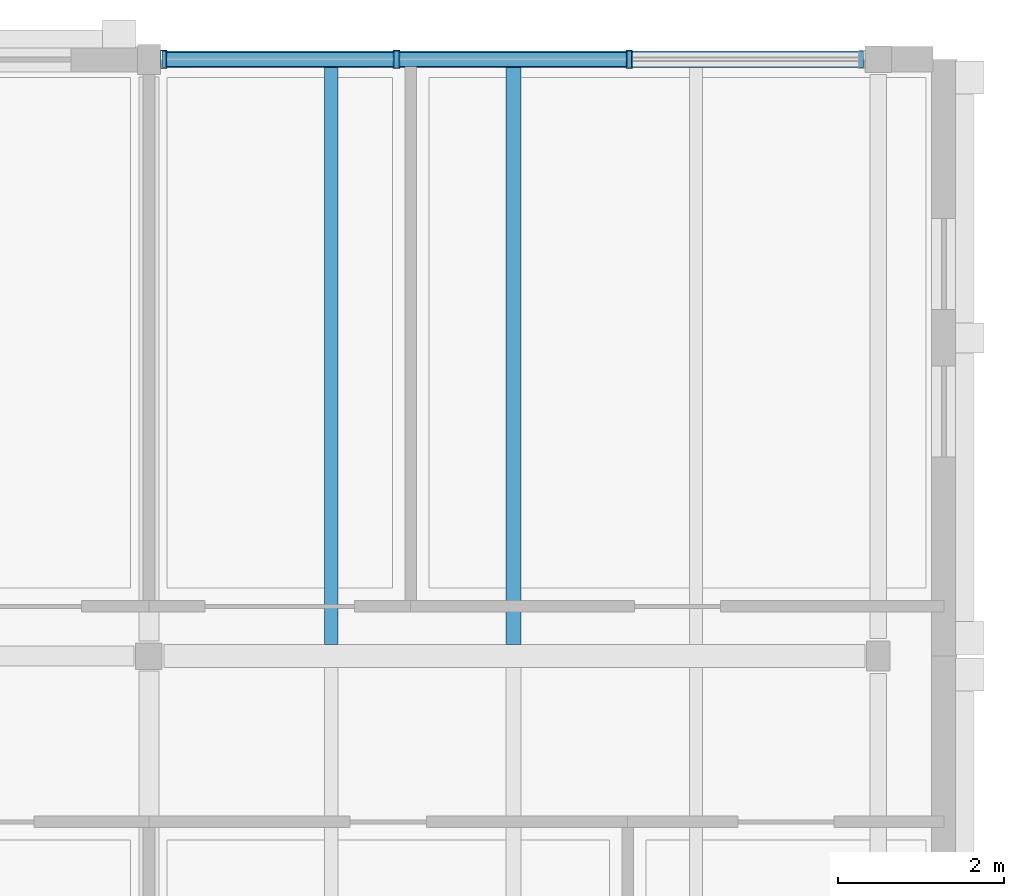
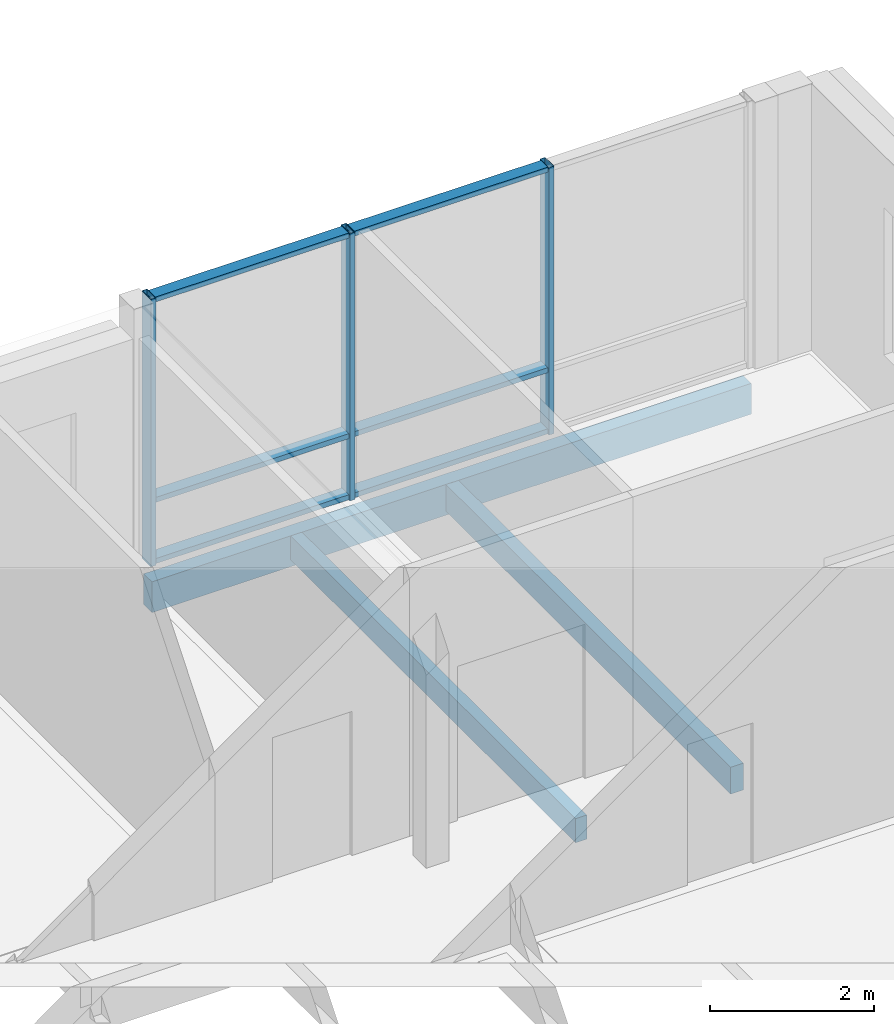
# One storey, part 31 of 115: 9 members, 3 beams, 1 element without a shape of its own.
"""IFC4 building model written with IfcOpenShell, lengths in metres."""

from ifc_helpers import new_model, si_unit, direction, frame, origin, origin_2d, place, context, subcontext, project, spatial, rectangle, hollow_rectangle, extrude, material, material_profile, profile_set, type_object, element, aggregate, save


model = new_model("IFC4")

# Units and contexts
model_context = context("Model", 3, precision=1e-05, world=origin(), true_north=direction((0.0, 1.0)))
body_context = subcontext(model_context, "Body", "Model", "MODEL_VIEW")
ifc_project = project(units=[si_unit("LENGTHUNIT", "METRE"), si_unit("AREAUNIT", "SQUARE_METRE"), si_unit("VOLUMEUNIT", "CUBIC_METRE"), si_unit("PLANEANGLEUNIT", "RADIAN"), si_unit("MASSUNIT", "GRAM", prefix="KILO")], contexts=[model_context])

# Site, building, storey
site_placement = place(None, origin())
site = spatial("IfcSite", under=ifc_project, at=site_placement, CompositionType="ELEMENT")
building_placement = place(site_placement, origin())
building = spatial("IfcBuilding", under=site, at=building_placement, Name="Hawrajan Terrace Health Centre", CompositionType="ELEMENT")
storey_placement = place(building_placement, frame((0.0, 0.0, 9.0)))
storey = spatial("IfcBuildingStorey", under=building, at=storey_placement, Name="L02", CompositionType="ELEMENT", Elevation=9.0)

# Curtain wall, members
ifc_material_1 = material(Name="Anodized bronze aluminium and low-E solar glazing", Category="aluminium")
curtain_wall_type = type_object("IfcCurtainWallType", Name="CW_Clerestory_SeriesG2", PredefinedType="USERDEFINED", material=ifc_material_1)
curtain_wall_placement = place(storey_placement, origin())
curtain_wall = element("IfcCurtainWall", 1, at=curtain_wall_placement, inside=storey, type_object=curtain_wall_type, Name="Curtain wall CW-L02-137", ObjectType="UNITISED CURTAIN WALL", PredefinedType="USERDEFINED")
ifc_material_2 = material(Name="Anodized bronze aluminium 6063-T6", Category="aluminium")
ifc_material_profile_1 = material_profile(ifc_material_2, hollow_rectangle(XDim=0.074951171875, YDim=0.219970703125, WallThickness=0.0048828125, at=origin_2d()), Name="CW MUL 75x220")
ifc_profile_set_1 = profile_set([ifc_material_profile_1], Name="Anodized bronze aluminium 6063-T6")
member_type_1 = type_object("IfcMemberType", Name="CWMullion_75x220", PredefinedType="MULLION", material=ifc_profile_set_1)
member_1_placement = place(storey_placement, frame((62.37744140625, 59.800048828125, -0.0048828125), z_axis=(0.0, 0.0, 1.0), x_axis=(1.0, 0.0, 0.0)))
member_1 = element("IfcMember", 2, at=member_1_placement, type_object=member_type_1, Name="Mullion CW-L02-137-M1", PredefinedType="MULLION", context=body_context, shape_type="SweptSolid", body=[
    extrude(hollow_rectangle(XDim=0.074951171875, YDim=0.219970703125, WallThickness=0.0048828125, at=origin_2d()), origin(), (0.0, 0.0, 1.0), 3.989990234375),
])
member_2_placement = place(storey_placement, frame((65.185791015625, 59.800048828125, -0.0048828125), z_axis=(0.0, 0.0, 1.0), x_axis=(1.0, 0.0, 0.0)))
member_2 = element("IfcMember", 3, at=member_2_placement, type_object=member_type_1, Name="Mullion CW-L02-137-M2", PredefinedType="MULLION", context=body_context, shape_type="SweptSolid", body=[
    extrude(hollow_rectangle(XDim=0.074951171875, YDim=0.219970703125, WallThickness=0.0048828125, at=origin_2d()), origin(), (0.0, 0.0, 1.0), 3.989990234375),
])
member_3_placement = place(storey_placement, frame((67.994140625, 59.800048828125, -0.0048828125), z_axis=(0.0, 0.0, 1.0), x_axis=(1.0, 0.0, 0.0)))
member_3 = element("IfcMember", 4, at=member_3_placement, type_object=member_type_1, Name="Mullion CW-L02-137-M3", PredefinedType="MULLION", context=body_context, shape_type="SweptSolid", body=[
    extrude(hollow_rectangle(XDim=0.074951171875, YDim=0.219970703125, WallThickness=0.0048828125, at=origin_2d()), origin(), (0.0, 0.0, 1.0), 3.989990234375),
])
ifc_material_profile_2 = material_profile(ifc_material_2, hollow_rectangle(XDim=0.074951171875, YDim=0.169921875, WallThickness=0.00439453125, at=origin_2d()), Name="CW TRN 75x170")
ifc_profile_set_2 = profile_set([ifc_material_profile_2], Name="Anodized bronze aluminium 6063-T6")
member_type_2 = type_object("IfcMemberType", Name="CWTransom_75x170", PredefinedType="USERDEFINED", material=ifc_profile_set_2)
member_4_placement = place(storey_placement, frame((62.408935546875, 59.800048828125, 0.03759765625), z_axis=(1.0, 0.0, 0.0), x_axis=(0.0, 0.0, 1.0)))
member_4 = element("IfcMember", 5, at=member_4_placement, type_object=member_type_2, Name="Transom CW-L02-137-T1-1", ObjectType="TRANSOM", PredefinedType="USERDEFINED", context=body_context, shape_type="SweptSolid", body=[
    extrude(hollow_rectangle(XDim=0.074951171875, YDim=0.169921875, WallThickness=0.00439453125, at=origin_2d()), origin(), (0.0, 0.0, 1.0), 2.745361328125),
])
member_5_placement = place(storey_placement, frame((62.408935546875, 59.800048828125, 0.949951171875), z_axis=(1.0, 0.0, 0.0), x_axis=(0.0, 0.0, 1.0)))
member_5 = element("IfcMember", 6, at=member_5_placement, type_object=member_type_2, Name="Transom CW-L02-137-T1-2", ObjectType="TRANSOM", PredefinedType="USERDEFINED", context=body_context, shape_type="SweptSolid", body=[
    extrude(hollow_rectangle(XDim=0.074951171875, YDim=0.169921875, WallThickness=0.00439453125, at=origin_2d()), origin(), (0.0, 0.0, 1.0), 2.745361328125),
])
member_6_placement = place(storey_placement, frame((62.408935546875, 59.800048828125, 3.9423828125), z_axis=(1.0, 0.0, 0.0), x_axis=(0.0, 0.0, 1.0)))
member_6 = element("IfcMember", 7, at=member_6_placement, type_object=member_type_2, Name="Transom CW-L02-137-T1-3", ObjectType="TRANSOM", PredefinedType="USERDEFINED", context=body_context, shape_type="SweptSolid", body=[
    extrude(hollow_rectangle(XDim=0.074951171875, YDim=0.169921875, WallThickness=0.00439453125, at=origin_2d()), origin(), (0.0, 0.0, 1.0), 2.745361328125),
])
member_7_placement = place(storey_placement, frame((65.21728515625, 59.800048828125, 0.03759765625), z_axis=(1.0, 0.0, 0.0), x_axis=(0.0, 0.0, 1.0)))
member_7 = element("IfcMember", 8, at=member_7_placement, type_object=member_type_2, Name="Transom CW-L02-137-T2-1", ObjectType="TRANSOM", PredefinedType="USERDEFINED", context=body_context, shape_type="SweptSolid", body=[
    extrude(hollow_rectangle(XDim=0.074951171875, YDim=0.169921875, WallThickness=0.00439453125, at=origin_2d()), origin(), (0.0, 0.0, 1.0), 2.745361328125),
])
member_8_placement = place(storey_placement, frame((65.21728515625, 59.800048828125, 0.949951171875), z_axis=(1.0, 0.0, 0.0), x_axis=(0.0, 0.0, 1.0)))
member_8 = element("IfcMember", 9, at=member_8_placement, type_object=member_type_2, Name="Transom CW-L02-137-T2-2", ObjectType="TRANSOM", PredefinedType="USERDEFINED", context=body_context, shape_type="SweptSolid", body=[
    extrude(hollow_rectangle(XDim=0.074951171875, YDim=0.169921875, WallThickness=0.00439453125, at=origin_2d()), origin(), (0.0, 0.0, 1.0), 2.745361328125),
])
member_9_placement = place(storey_placement, frame((65.21728515625, 59.800048828125, 3.9423828125), z_axis=(1.0, 0.0, 0.0), x_axis=(0.0, 0.0, 1.0)))
member_9 = element("IfcMember", 10, at=member_9_placement, type_object=member_type_2, Name="Transom CW-L02-137-T2-3", ObjectType="TRANSOM", PredefinedType="USERDEFINED", context=body_context, shape_type="SweptSolid", body=[
    extrude(hollow_rectangle(XDim=0.074951171875, YDim=0.169921875, WallThickness=0.00439453125, at=origin_2d()), origin(), (0.0, 0.0, 1.0), 2.745361328125),
])
aggregate(curtain_wall, [member_1, member_2, member_3, member_4, member_5, member_6, member_7, member_8, member_9])

# Beams
ifc_material_3 = material(Name="Glulam GL28h", Category="wood")
ifc_material_profile_3 = material_profile(ifc_material_3, rectangle(XDim=0.159912109375, YDim=0.360107421875, at=origin_2d()), Name="GL JST 160x360")
ifc_profile_set_3 = profile_set([ifc_material_profile_3], Name="Glulam GL28h")
beam_type_1 = type_object("IfcBeamType", Name="GlulamJoist_160x360", PredefinedType="JOIST", material=ifc_profile_set_3)
beam_1_placement = place(storey_placement, frame((64.39990234375, 52.739990234375, -0.419921875), z_axis=(0.0, 1.0, 0.0), x_axis=(-1.0, 0.0, 0.0)))
element("IfcBeam", 11, at=beam_1_placement, inside=storey, type_object=beam_type_1, Name="Secondary joist JST-L02-W-09-7-1", PredefinedType="JOIST", context=body_context, shape_type="SweptSolid", body=[
    extrude(rectangle(XDim=0.159912109375, YDim=0.360107421875, at=origin_2d()), origin(), (0.0, 0.0, 1.0), 6.9599609375),
])
ifc_material_profile_4 = material_profile(ifc_material_3, rectangle(XDim=0.179931640625, YDim=0.39990234375, at=origin_2d()), Name="GL JST 180x400")
ifc_profile_set_4 = profile_set([ifc_material_profile_4], Name="Glulam GL28h")
beam_type_2 = type_object("IfcBeamType", Name="GlulamJoist_180x400", PredefinedType="JOIST", material=ifc_profile_set_4)
beam_2_placement = place(storey_placement, frame((66.60009765625, 52.739990234375, -0.43994140625), z_axis=(0.0, 1.0, 0.0), x_axis=(-1.0, 0.0, 0.0)))
element("IfcBeam", 12, at=beam_2_placement, inside=storey, type_object=beam_type_2, Name="Secondary joist JST-L02-W-09-7-2", PredefinedType="JOIST", context=body_context, shape_type="SweptSolid", body=[
    extrude(rectangle(XDim=0.179931640625, YDim=0.39990234375, at=origin_2d()), origin(), (0.0, 0.0, 1.0), 6.9599609375),
])
ifc_material_4 = material(Name="Glulam GL32h", Category="wood")
ifc_material_profile_5 = material_profile(ifc_material_4, rectangle(XDim=0.199951171875, YDim=0.4599609375, at=origin_2d()), Name="GL SP 200x460")
ifc_profile_set_5 = profile_set([ifc_material_profile_5], Name="Glulam GL32h")
beam_type_3 = type_object("IfcBeamType", Name="GlulamSpandrel_200x460", PredefinedType="SPANDREL", material=ifc_profile_set_5)
beam_3_placement = place(storey_placement, frame((62.360107421875, 59.800048828125, -0.469970703125), z_axis=(1.0, 0.0, 0.0), x_axis=(0.0, 1.0, 0.0)))
element("IfcBeam", 13, at=beam_3_placement, inside=storey, type_object=beam_type_3, Name="Beam BM-X-L02-W-09-Y8", PredefinedType="SPANDREL", context=body_context, shape_type="SweptSolid", body=[
    extrude(rectangle(XDim=0.199951171875, YDim=0.4599609375, at=origin_2d()), origin(), (0.0, 0.0, 1.0), 8.4599609375),
])

save(model, "model.ifc")
